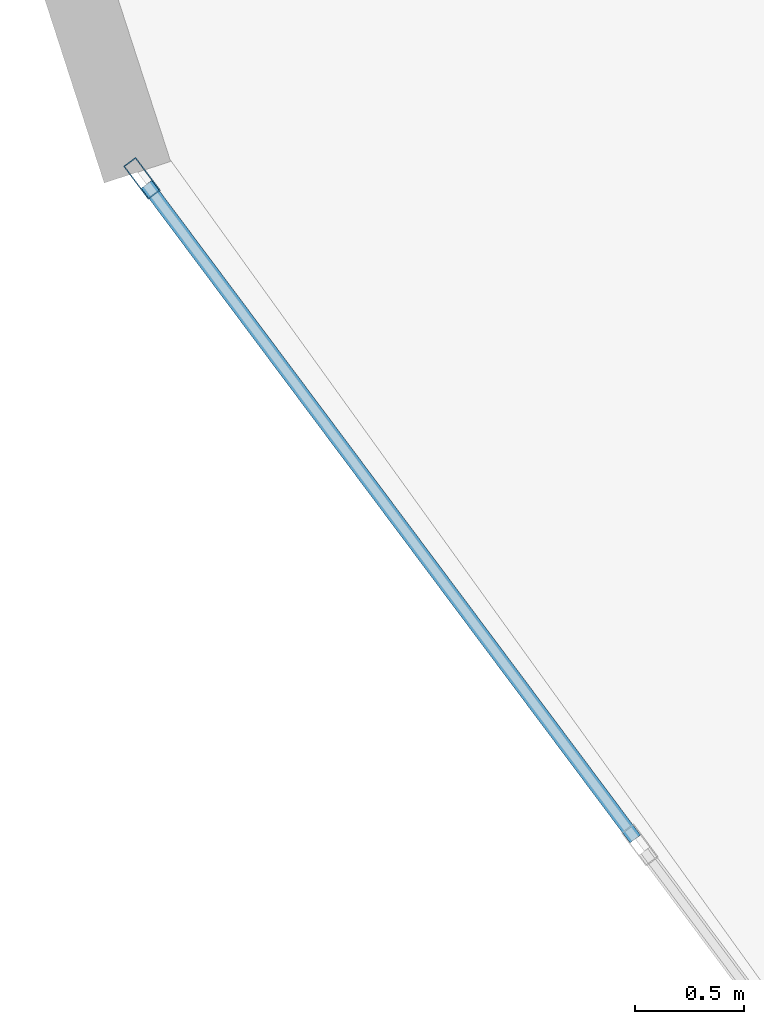
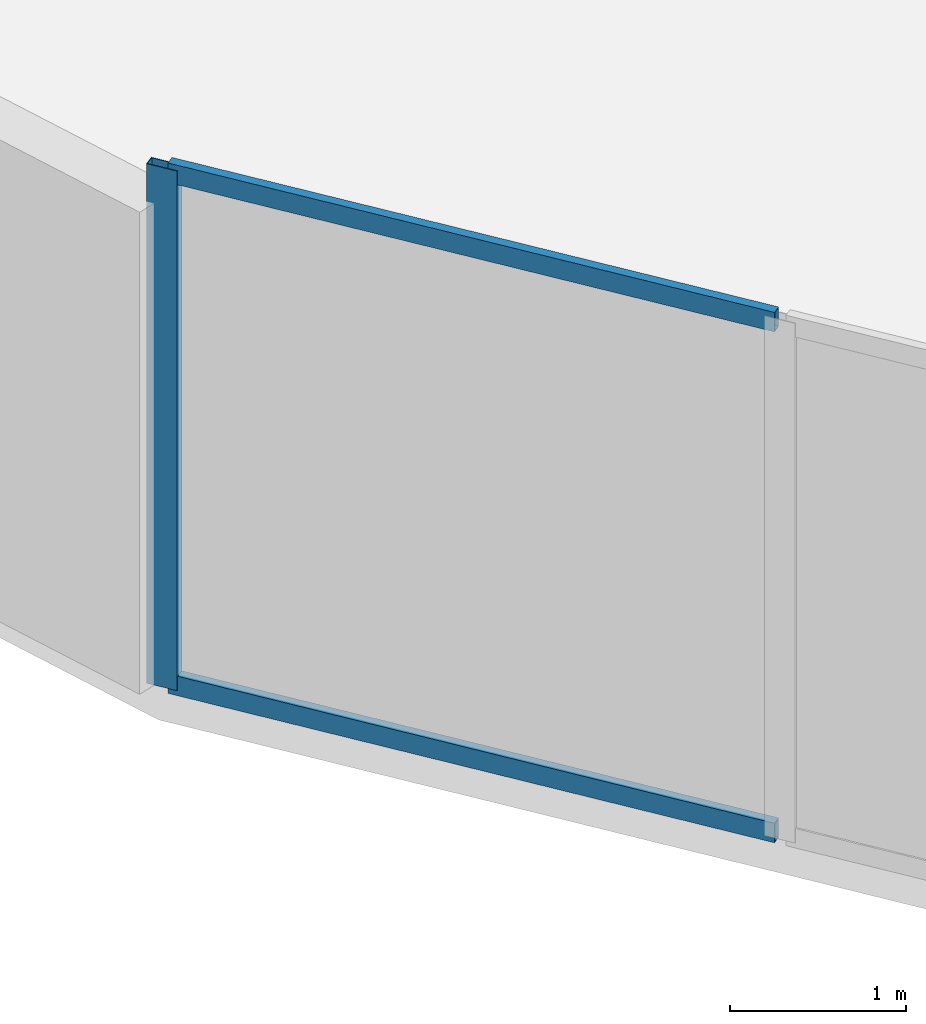
# One storey, part 3 of 25: 3 members, 1 element without a shape of its own.
"""IFC4 building model written with IfcOpenShell, lengths in metres."""

from ifc_helpers import new_model, si_unit, direction, frame, origin, origin_2d, place, context, subcontext, project, spatial, hollow_rectangle, extrude, source, transform, mapped, material, layer, layer_set, material_profile, profile_set, type_object, element, aggregate, save


model = new_model("IFC4")

# Units and contexts
model_context = context("Model", 3, precision=1e-05, world=origin(), true_north=direction((0.0, 1.0)))
body_context = subcontext(model_context, "Body", "Model", "MODEL_VIEW")
ifc_project = project(units=[si_unit("LENGTHUNIT", "METRE"), si_unit("AREAUNIT", "SQUARE_METRE"), si_unit("VOLUMEUNIT", "CUBIC_METRE"), si_unit("PLANEANGLEUNIT", "RADIAN"), si_unit("MASSUNIT", "GRAM", prefix="KILO")], contexts=[model_context])

# Site, building, storey
site_placement = place(None, origin())
site = spatial("IfcSite", under=ifc_project, at=site_placement, CompositionType="ELEMENT")
building_placement = place(site_placement, origin())
building = spatial("IfcBuilding", under=site, at=building_placement, Name="Solvirekh Grand Hotel", CompositionType="ELEMENT")
storey_placement = place(building_placement, frame((0.0, 0.0, 57.199951171875)))
storey = spatial("IfcBuildingStorey", under=building, at=storey_placement, Name="L13", CompositionType="ELEMENT", Elevation=57.199951171875)

# Curtain wall, members
ifc_material = material(Name="Anodized Bronze Aluminium 6063-T6", Category="aluminium")
ifc_layer = layer(ifc_material, 0.18994140625)
ifc_layer_set = layer_set([ifc_layer], Name="Anodized Bronze Aluminium 6063-T6")
curtain_wall_type = type_object("IfcCurtainWallType", Name="CW_Sys2_LowZoneFlushBronzeCW", PredefinedType="NOTDEFINED", material=ifc_layer_set)
curtain_wall_placement = place(storey_placement, origin())
curtain_wall = element("IfcCurtainWall", 1, at=curtain_wall_placement, inside=storey, type_object=curtain_wall_type, Name="L13 unitised bronze-glass curtain wall CW-L13-C13", PredefinedType="NOTDEFINED")
ifc_material_profile_1 = material_profile(ifc_material, hollow_rectangle(XDim=0.070068359375, YDim=0.18994140625, WallThickness=0.0048828125, at=origin_2d()), Name="ALU RHS 190X70X5")
ifc_profile_set_1 = profile_set([ifc_material_profile_1], Name="Anodized Bronze Aluminium 6063-T6")
member_type_1 = type_object("IfcMemberType", Name="CWMullion_Sys2", PredefinedType="MULLION", material=ifc_profile_set_1)
shared_shape_1 = source(origin(), body_context, "Body", "SweptSolid", [
    extrude(hollow_rectangle(XDim=0.070068359375, YDim=0.18994140625, WallThickness=0.0048828125, at=origin_2d()), origin(), (0.0, 0.0, 1.0), 3.60009765625),
])
member_1_placement = place(storey_placement, frame((-25.462158203125, -7.257080078125, 0.0), z_axis=(0.0, 0.0, 1.0), x_axis=(0.801275244667, 0.598295898601, 0.0)))
member_1 = element("IfcMember", 2, at=member_1_placement, type_object=member_type_1, Name="U02 mullion 1", PredefinedType="MULLION", context=body_context, shape_type="MappedRepresentation", body=[
    mapped(shared_shape_1, transform((0.0, 0.0, 0.0), x_axis=(1.0, 0.0, 0.0), y_axis=(0.0, 1.0, 0.0), z_axis=(0.0, 0.0, 1.0), scale=1.0)),
])
ifc_material_profile_2 = material_profile(ifc_material, hollow_rectangle(XDim=0.06005859375, YDim=0.135009765625, WallThickness=0.00390625, at=origin_2d()), Name="ALU RHS 135X60X4")
ifc_profile_set_2 = profile_set([ifc_material_profile_2], Name="Anodized Bronze Aluminium 6063-T6")
member_type_2 = type_object("IfcMemberType", Name="CWTransom_Sys2", PredefinedType="USERDEFINED", material=ifc_profile_set_2)
shared_shape_2 = source(origin(), body_context, "Body", "SweptSolid", [
    extrude(hollow_rectangle(XDim=0.06005859375, YDim=0.135009765625, WallThickness=0.00390625, at=origin_2d()), origin(), (0.0, 0.0, 1.0), 3.74755859375),
])
member_2_placement = place(storey_placement, frame((-25.441162109375, -7.28515625, 0.030029296875), z_axis=(0.598320463872, -0.801256901694, 0.0), x_axis=(0.801256901694, 0.598320463872, 0.0)))
member_2 = element("IfcMember", 3, at=member_2_placement, type_object=member_type_2, Name="U02 transom 1.1", ObjectType="TRANSOM", PredefinedType="USERDEFINED", context=body_context, shape_type="MappedRepresentation", body=[
    mapped(shared_shape_2, transform((0.0, 0.0, 0.0), x_axis=(1.0, 0.0, 0.0), y_axis=(0.0, 1.0, 0.0), z_axis=(0.0, 0.0, 1.0), scale=1.0)),
])
member_3_placement = place(storey_placement, frame((-25.441162109375, -7.28515625, 3.570068359375), z_axis=(0.598320463872, -0.801256901694, 0.0), x_axis=(0.801256901694, 0.598320463872, 0.0)))
member_3 = element("IfcMember", 4, at=member_3_placement, type_object=member_type_2, Name="U02 transom 1.2", ObjectType="TRANSOM", PredefinedType="USERDEFINED", context=body_context, shape_type="MappedRepresentation", body=[
    mapped(shared_shape_2, transform((0.0, 0.0, 0.0), x_axis=(1.0, 0.0, 0.0), y_axis=(0.0, 1.0, 0.0), z_axis=(0.0, 0.0, 1.0), scale=1.0)),
])
aggregate(curtain_wall, [member_1, member_2, member_3])

save(model, "model.ifc")
